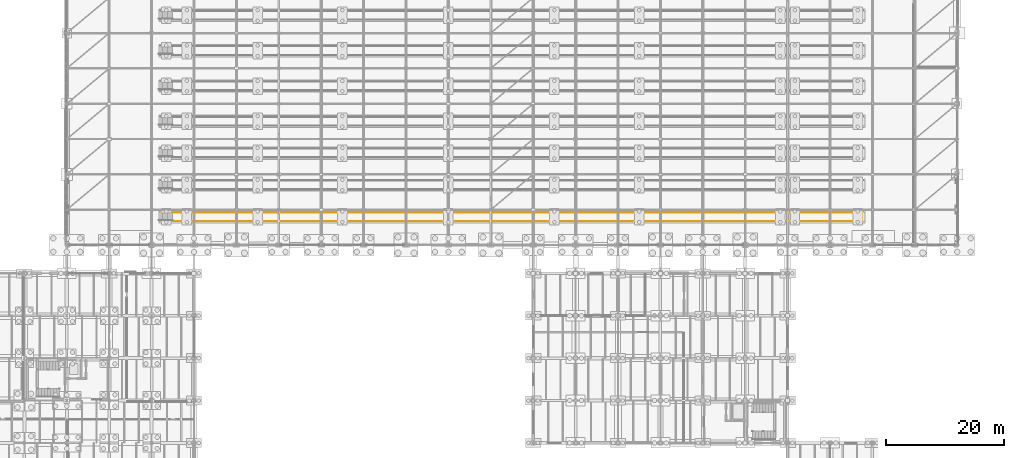
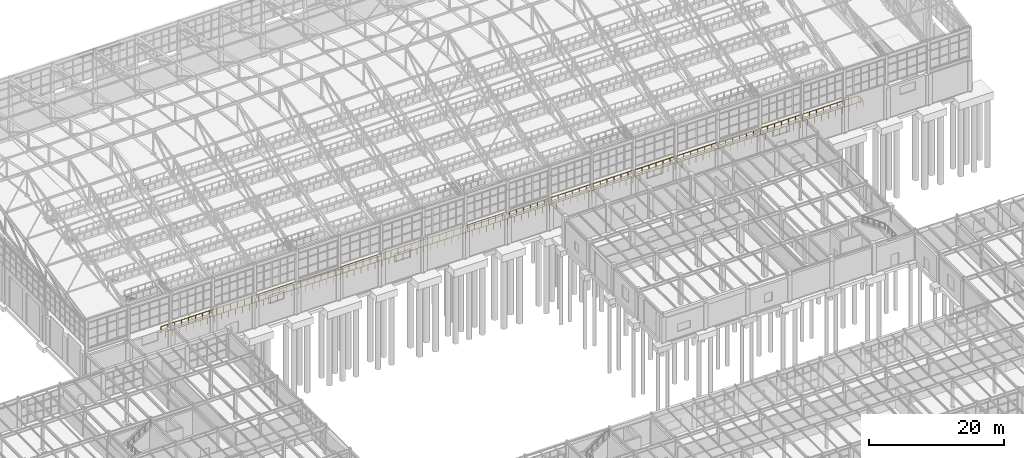
# One storey, part 282 of 293: 1 railing.
"""IFC4 building model written with IfcOpenShell, lengths in metres."""

from ifc_helpers import new_model, si_unit, direction, frame, origin, origin_2d, place, context, subcontext, project, spatial, circle, extrude, material, type_object, element, save


model = new_model("IFC4")

# Units and contexts
model_context = context("Model", 3, precision=1e-05, world=origin(), true_north=direction((0.0, 1.0)))
body_context = subcontext(model_context, "Body", "Model", "MODEL_VIEW")
ifc_project = project(units=[si_unit("LENGTHUNIT", "METRE"), si_unit("AREAUNIT", "SQUARE_METRE"), si_unit("VOLUMEUNIT", "CUBIC_METRE"), si_unit("PLANEANGLEUNIT", "RADIAN"), si_unit("MASSUNIT", "GRAM", prefix="KILO")], contexts=[model_context])

# Site, building, storey
site_placement = place(None, origin())
site = spatial("IfcSite", under=ifc_project, at=site_placement, CompositionType="ELEMENT")
building_placement = place(site_placement, origin())
building = spatial("IfcBuilding", under=site, at=building_placement, Name="Kemerveld Promenade Tramway Depot", CompositionType="ELEMENT")
storey_placement = place(building_placement, origin())
storey = spatial("IfcBuildingStorey", under=building, at=storey_placement, Name="L00", CompositionType="ELEMENT", Elevation=0.0)

# Railing
ifc_material = material(Name="Galvanised painted steel balustrade", Category="steel")
railing_type = type_object("IfcRailingType", Name="RL-GRD-1100", PredefinedType="GUARDRAIL", material=ifc_material)
railing_placement = place(storey_placement, frame((51.949951171875, 88.195068359375, 0.0)))
element("IfcRailing", 1, at=railing_placement, inside=storey, type_object=railing_type, Name="RL-PIT-PIT-01", PredefinedType="GUARDRAIL", context=body_context, shape_type="SweptSolid", body=[
    extrude(circle(Radius=0.02392578125, at=origin_2d()), frame((0.0, 0.0, 1.09619140625), z_axis=(0.0, -1.0, 0.0), x_axis=(1.0, 0.0, 0.0)), (0.0, 0.0, 1.0), 0.14501953125),
    extrude(circle(Radius=0.02392578125, at=origin_2d()), frame((0.0, -0.14501953125, 1.09619140625), z_axis=(1.0, 0.0, 0.0), x_axis=(0.0, 1.0, 0.0)), (0.0, 0.0, 1.0), 119.300048828125),
    extrude(circle(Radius=0.02392578125, at=origin_2d()), frame((119.300048828125, -0.14501953125, 1.09619140625), z_axis=(0.0, 1.0, 0.0), x_axis=(-1.0, 0.0, 0.0)), (0.0, 0.0, 1.0), 1.5),
    extrude(circle(Radius=0.02392578125, at=origin_2d()), frame((119.300048828125, 1.35498046875, 1.09619140625), z_axis=(-1.0, 0.0, 0.0), x_axis=(0.0, -1.0, 0.0)), (0.0, 0.0, 1.0), 119.300048828125),
    extrude(circle(Radius=0.02392578125, at=origin_2d()), frame((0.0, 1.35498046875, 1.09619140625), z_axis=(0.0, -1.0, 0.0), x_axis=(1.0, 0.0, 0.0)), (0.0, 0.0, 1.0), 0.14501953125),
    extrude(circle(Radius=0.02099609375, at=origin_2d()), origin(), (0.0, 0.0, 1.0), 1.072021484375),
    extrude(circle(Radius=0.02099609375, at=origin_2d()), frame((0.0, -0.14501953125, 0.0)), (0.0, 0.0, 1.0), 1.072021484375),
    extrude(circle(Radius=0.02099609375, at=origin_2d()), frame((1.193115234375, -0.14501953125, 0.0)), (0.0, 0.0, 1.0), 1.072021484375),
    extrude(circle(Radius=0.02099609375, at=origin_2d()), frame((2.385986328125, -0.14501953125, 0.0)), (0.0, 0.0, 1.0), 1.072021484375),
    extrude(circle(Radius=0.02099609375, at=origin_2d()), frame((3.5791015625, -0.14501953125, 0.0)), (0.0, 0.0, 1.0), 1.072021484375),
    extrude(circle(Radius=0.02099609375, at=origin_2d()), frame((4.77197265625, -0.14501953125, 0.0)), (0.0, 0.0, 1.0), 1.072021484375),
    extrude(circle(Radius=0.02099609375, at=origin_2d()), frame((5.965087890625, -0.14501953125, 0.0)), (0.0, 0.0, 1.0), 1.072021484375),
    extrude(circle(Radius=0.02099609375, at=origin_2d()), frame((7.157958984375, -0.14501953125, 0.0)), (0.0, 0.0, 1.0), 1.072021484375),
    extrude(circle(Radius=0.02099609375, at=origin_2d()), frame((8.35107421875, -0.14501953125, 0.0)), (0.0, 0.0, 1.0), 1.072021484375),
    extrude(circle(Radius=0.02099609375, at=origin_2d()), frame((9.5439453125, -0.14501953125, 0.0)), (0.0, 0.0, 1.0), 1.072021484375),
    extrude(circle(Radius=0.02099609375, at=origin_2d()), frame((10.737060546875, -0.14501953125, 0.0)), (0.0, 0.0, 1.0), 1.072021484375),
    extrude(circle(Radius=0.02099609375, at=origin_2d()), frame((11.929931640625, -0.14501953125, 0.0)), (0.0, 0.0, 1.0), 1.072021484375),
    extrude(circle(Radius=0.02099609375, at=origin_2d()), frame((13.123046875, -0.14501953125, 0.0)), (0.0, 0.0, 1.0), 1.072021484375),
    extrude(circle(Radius=0.02099609375, at=origin_2d()), frame((14.31591796875, -0.14501953125, 0.0)), (0.0, 0.0, 1.0), 1.072021484375),
    extrude(circle(Radius=0.02099609375, at=origin_2d()), frame((15.509033203125, -0.14501953125, 0.0)), (0.0, 0.0, 1.0), 1.072021484375),
    extrude(circle(Radius=0.02099609375, at=origin_2d()), frame((16.701904296875, -0.14501953125, 0.0)), (0.0, 0.0, 1.0), 1.072021484375),
    extrude(circle(Radius=0.02099609375, at=origin_2d()), frame((17.89501953125, -0.14501953125, 0.0)), (0.0, 0.0, 1.0), 1.072021484375),
    extrude(circle(Radius=0.02099609375, at=origin_2d()), frame((19.087890625, -0.14501953125, 0.0)), (0.0, 0.0, 1.0), 1.072021484375),
    extrude(circle(Radius=0.02099609375, at=origin_2d()), frame((20.281005859375, -0.14501953125, 0.0)), (0.0, 0.0, 1.0), 1.072021484375),
    extrude(circle(Radius=0.02099609375, at=origin_2d()), frame((21.47412109375, -0.14501953125, 0.0)), (0.0, 0.0, 1.0), 1.072021484375),
    extrude(circle(Radius=0.02099609375, at=origin_2d()), frame((22.6669921875, -0.14501953125, 0.0)), (0.0, 0.0, 1.0), 1.072021484375),
    extrude(circle(Radius=0.02099609375, at=origin_2d()), frame((23.860107421875, -0.14501953125, 0.0)), (0.0, 0.0, 1.0), 1.072021484375),
    extrude(circle(Radius=0.02099609375, at=origin_2d()), frame((25.052978515625, -0.14501953125, 0.0)), (0.0, 0.0, 1.0), 1.072021484375),
    extrude(circle(Radius=0.02099609375, at=origin_2d()), frame((26.24609375, -0.14501953125, 0.0)), (0.0, 0.0, 1.0), 1.072021484375),
    extrude(circle(Radius=0.02099609375, at=origin_2d()), frame((27.43896484375, -0.14501953125, 0.0)), (0.0, 0.0, 1.0), 1.072021484375),
    extrude(circle(Radius=0.02099609375, at=origin_2d()), frame((28.632080078125, -0.14501953125, 0.0)), (0.0, 0.0, 1.0), 1.072021484375),
    extrude(circle(Radius=0.02099609375, at=origin_2d()), frame((29.824951171875, -0.14501953125, 0.0)), (0.0, 0.0, 1.0), 1.072021484375),
    extrude(circle(Radius=0.02099609375, at=origin_2d()), frame((31.01806640625, -0.14501953125, 0.0)), (0.0, 0.0, 1.0), 1.072021484375),
    extrude(circle(Radius=0.02099609375, at=origin_2d()), frame((32.2109375, -0.14501953125, 0.0)), (0.0, 0.0, 1.0), 1.072021484375),
    extrude(circle(Radius=0.02099609375, at=origin_2d()), frame((33.404052734375, -0.14501953125, 0.0)), (0.0, 0.0, 1.0), 1.072021484375),
    extrude(circle(Radius=0.02099609375, at=origin_2d()), frame((34.596923828125, -0.14501953125, 0.0)), (0.0, 0.0, 1.0), 1.072021484375),
    extrude(circle(Radius=0.02099609375, at=origin_2d()), frame((35.7900390625, -0.14501953125, 0.0)), (0.0, 0.0, 1.0), 1.072021484375),
    extrude(circle(Radius=0.02099609375, at=origin_2d()), frame((36.98291015625, -0.14501953125, 0.0)), (0.0, 0.0, 1.0), 1.072021484375),
    extrude(circle(Radius=0.02099609375, at=origin_2d()), frame((38.176025390625, -0.14501953125, 0.0)), (0.0, 0.0, 1.0), 1.072021484375),
    extrude(circle(Radius=0.02099609375, at=origin_2d()), frame((39.368896484375, -0.14501953125, 0.0)), (0.0, 0.0, 1.0), 1.072021484375),
    extrude(circle(Radius=0.02099609375, at=origin_2d()), frame((40.56201171875, -0.14501953125, 0.0)), (0.0, 0.0, 1.0), 1.072021484375),
    extrude(circle(Radius=0.02099609375, at=origin_2d()), frame((41.755126953125, -0.14501953125, 0.0)), (0.0, 0.0, 1.0), 1.072021484375),
    extrude(circle(Radius=0.02099609375, at=origin_2d()), frame((42.947998046875, -0.14501953125, 0.0)), (0.0, 0.0, 1.0), 1.072021484375),
    extrude(circle(Radius=0.02099609375, at=origin_2d()), frame((44.14111328125, -0.14501953125, 0.0)), (0.0, 0.0, 1.0), 1.072021484375),
    extrude(circle(Radius=0.02099609375, at=origin_2d()), frame((45.333984375, -0.14501953125, 0.0)), (0.0, 0.0, 1.0), 1.072021484375),
    extrude(circle(Radius=0.02099609375, at=origin_2d()), frame((46.527099609375, -0.14501953125, 0.0)), (0.0, 0.0, 1.0), 1.072021484375),
    extrude(circle(Radius=0.02099609375, at=origin_2d()), frame((47.719970703125, -0.14501953125, 0.0)), (0.0, 0.0, 1.0), 1.072021484375),
    extrude(circle(Radius=0.02099609375, at=origin_2d()), frame((48.9130859375, -0.14501953125, 0.0)), (0.0, 0.0, 1.0), 1.072021484375),
    extrude(circle(Radius=0.02099609375, at=origin_2d()), frame((50.10595703125, -0.14501953125, 0.0)), (0.0, 0.0, 1.0), 1.072021484375),
    extrude(circle(Radius=0.02099609375, at=origin_2d()), frame((51.299072265625, -0.14501953125, 0.0)), (0.0, 0.0, 1.0), 1.072021484375),
    extrude(circle(Radius=0.02099609375, at=origin_2d()), frame((52.491943359375, -0.14501953125, 0.0)), (0.0, 0.0, 1.0), 1.072021484375),
    extrude(circle(Radius=0.02099609375, at=origin_2d()), frame((53.68505859375, -0.14501953125, 0.0)), (0.0, 0.0, 1.0), 1.072021484375),
    extrude(circle(Radius=0.02099609375, at=origin_2d()), frame((54.8779296875, -0.14501953125, 0.0)), (0.0, 0.0, 1.0), 1.072021484375),
    extrude(circle(Radius=0.02099609375, at=origin_2d()), frame((56.071044921875, -0.14501953125, 0.0)), (0.0, 0.0, 1.0), 1.072021484375),
    extrude(circle(Radius=0.02099609375, at=origin_2d()), frame((57.263916015625, -0.14501953125, 0.0)), (0.0, 0.0, 1.0), 1.072021484375),
    extrude(circle(Radius=0.02099609375, at=origin_2d()), frame((58.45703125, -0.14501953125, 0.0)), (0.0, 0.0, 1.0), 1.072021484375),
    extrude(circle(Radius=0.02099609375, at=origin_2d()), frame((59.64990234375, -0.14501953125, 0.0)), (0.0, 0.0, 1.0), 1.072021484375),
    extrude(circle(Radius=0.02099609375, at=origin_2d()), frame((60.843017578125, -0.14501953125, 0.0)), (0.0, 0.0, 1.0), 1.072021484375),
    extrude(circle(Radius=0.02099609375, at=origin_2d()), frame((62.0361328125, -0.14501953125, 0.0)), (0.0, 0.0, 1.0), 1.072021484375),
    extrude(circle(Radius=0.02099609375, at=origin_2d()), frame((63.22900390625, -0.14501953125, 0.0)), (0.0, 0.0, 1.0), 1.072021484375),
    extrude(circle(Radius=0.02099609375, at=origin_2d()), frame((64.422119140625, -0.14501953125, 0.0)), (0.0, 0.0, 1.0), 1.072021484375),
    extrude(circle(Radius=0.02099609375, at=origin_2d()), frame((65.614990234375, -0.14501953125, 0.0)), (0.0, 0.0, 1.0), 1.072021484375),
    extrude(circle(Radius=0.02099609375, at=origin_2d()), frame((66.80810546875, -0.14501953125, 0.0)), (0.0, 0.0, 1.0), 1.072021484375),
    extrude(circle(Radius=0.02099609375, at=origin_2d()), frame((68.0009765625, -0.14501953125, 0.0)), (0.0, 0.0, 1.0), 1.072021484375),
    extrude(circle(Radius=0.02099609375, at=origin_2d()), frame((69.194091796875, -0.14501953125, 0.0)), (0.0, 0.0, 1.0), 1.072021484375),
    extrude(circle(Radius=0.02099609375, at=origin_2d()), frame((70.386962890625, -0.14501953125, 0.0)), (0.0, 0.0, 1.0), 1.072021484375),
    extrude(circle(Radius=0.02099609375, at=origin_2d()), frame((71.580078125, -0.14501953125, 0.0)), (0.0, 0.0, 1.0), 1.072021484375),
    extrude(circle(Radius=0.02099609375, at=origin_2d()), frame((72.77294921875, -0.14501953125, 0.0)), (0.0, 0.0, 1.0), 1.072021484375),
    extrude(circle(Radius=0.02099609375, at=origin_2d()), frame((73.966064453125, -0.14501953125, 0.0)), (0.0, 0.0, 1.0), 1.072021484375),
    extrude(circle(Radius=0.02099609375, at=origin_2d()), frame((75.158935546875, -0.14501953125, 0.0)), (0.0, 0.0, 1.0), 1.072021484375),
    extrude(circle(Radius=0.02099609375, at=origin_2d()), frame((76.35205078125, -0.14501953125, 0.0)), (0.0, 0.0, 1.0), 1.072021484375),
    extrude(circle(Radius=0.02099609375, at=origin_2d()), frame((77.544921875, -0.14501953125, 0.0)), (0.0, 0.0, 1.0), 1.072021484375),
    extrude(circle(Radius=0.02099609375, at=origin_2d()), frame((78.738037109375, -0.14501953125, 0.0)), (0.0, 0.0, 1.0), 1.072021484375),
    extrude(circle(Radius=0.02099609375, at=origin_2d()), frame((79.93115234375, -0.14501953125, 0.0)), (0.0, 0.0, 1.0), 1.072021484375),
    extrude(circle(Radius=0.02099609375, at=origin_2d()), frame((81.1240234375, -0.14501953125, 0.0)), (0.0, 0.0, 1.0), 1.072021484375),
    extrude(circle(Radius=0.02099609375, at=origin_2d()), frame((82.317138671875, -0.14501953125, 0.0)), (0.0, 0.0, 1.0), 1.072021484375),
    extrude(circle(Radius=0.02099609375, at=origin_2d()), frame((83.510009765625, -0.14501953125, 0.0)), (0.0, 0.0, 1.0), 1.072021484375),
    extrude(circle(Radius=0.02099609375, at=origin_2d()), frame((84.703125, -0.14501953125, 0.0)), (0.0, 0.0, 1.0), 1.072021484375),
    extrude(circle(Radius=0.02099609375, at=origin_2d()), frame((85.89599609375, -0.14501953125, 0.0)), (0.0, 0.0, 1.0), 1.072021484375),
    extrude(circle(Radius=0.02099609375, at=origin_2d()), frame((87.089111328125, -0.14501953125, 0.0)), (0.0, 0.0, 1.0), 1.072021484375),
    extrude(circle(Radius=0.02099609375, at=origin_2d()), frame((88.281982421875, -0.14501953125, 0.0)), (0.0, 0.0, 1.0), 1.072021484375),
    extrude(circle(Radius=0.02099609375, at=origin_2d()), frame((89.47509765625, -0.14501953125, 0.0)), (0.0, 0.0, 1.0), 1.072021484375),
    extrude(circle(Radius=0.02099609375, at=origin_2d()), frame((90.66796875, -0.14501953125, 0.0)), (0.0, 0.0, 1.0), 1.072021484375),
    extrude(circle(Radius=0.02099609375, at=origin_2d()), frame((91.861083984375, -0.14501953125, 0.0)), (0.0, 0.0, 1.0), 1.072021484375),
    extrude(circle(Radius=0.02099609375, at=origin_2d()), frame((93.053955078125, -0.14501953125, 0.0)), (0.0, 0.0, 1.0), 1.072021484375),
    extrude(circle(Radius=0.02099609375, at=origin_2d()), frame((94.2470703125, -0.14501953125, 0.0)), (0.0, 0.0, 1.0), 1.072021484375),
    extrude(circle(Radius=0.02099609375, at=origin_2d()), frame((95.43994140625, -0.14501953125, 0.0)), (0.0, 0.0, 1.0), 1.072021484375),
    extrude(circle(Radius=0.02099609375, at=origin_2d()), frame((96.633056640625, -0.14501953125, 0.0)), (0.0, 0.0, 1.0), 1.072021484375),
    extrude(circle(Radius=0.02099609375, at=origin_2d()), frame((97.825927734375, -0.14501953125, 0.0)), (0.0, 0.0, 1.0), 1.072021484375),
    extrude(circle(Radius=0.02099609375, at=origin_2d()), frame((99.01904296875, -0.14501953125, 0.0)), (0.0, 0.0, 1.0), 1.072021484375),
    extrude(circle(Radius=0.02099609375, at=origin_2d()), frame((100.212158203125, -0.14501953125, 0.0)), (0.0, 0.0, 1.0), 1.072021484375),
    extrude(circle(Radius=0.02099609375, at=origin_2d()), frame((101.405029296875, -0.14501953125, 0.0)), (0.0, 0.0, 1.0), 1.072021484375),
    extrude(circle(Radius=0.02099609375, at=origin_2d()), frame((102.59814453125, -0.14501953125, 0.0)), (0.0, 0.0, 1.0), 1.072021484375),
    extrude(circle(Radius=0.02099609375, at=origin_2d()), frame((103.791015625, -0.14501953125, 0.0)), (0.0, 0.0, 1.0), 1.072021484375),
    extrude(circle(Radius=0.02099609375, at=origin_2d()), frame((104.984130859375, -0.14501953125, 0.0)), (0.0, 0.0, 1.0), 1.072021484375),
    extrude(circle(Radius=0.02099609375, at=origin_2d()), frame((106.177001953125, -0.14501953125, 0.0)), (0.0, 0.0, 1.0), 1.072021484375),
    extrude(circle(Radius=0.02099609375, at=origin_2d()), frame((107.3701171875, -0.14501953125, 0.0)), (0.0, 0.0, 1.0), 1.072021484375),
    extrude(circle(Radius=0.02099609375, at=origin_2d()), frame((108.56298828125, -0.14501953125, 0.0)), (0.0, 0.0, 1.0), 1.072021484375),
    extrude(circle(Radius=0.02099609375, at=origin_2d()), frame((109.756103515625, -0.14501953125, 0.0)), (0.0, 0.0, 1.0), 1.072021484375),
    extrude(circle(Radius=0.02099609375, at=origin_2d()), frame((110.948974609375, -0.14501953125, 0.0)), (0.0, 0.0, 1.0), 1.072021484375),
    extrude(circle(Radius=0.02099609375, at=origin_2d()), frame((112.14208984375, -0.14501953125, 0.0)), (0.0, 0.0, 1.0), 1.072021484375),
    extrude(circle(Radius=0.02099609375, at=origin_2d()), frame((113.3349609375, -0.14501953125, 0.0)), (0.0, 0.0, 1.0), 1.072021484375),
    extrude(circle(Radius=0.02099609375, at=origin_2d()), frame((114.528076171875, -0.14501953125, 0.0)), (0.0, 0.0, 1.0), 1.072021484375),
    extrude(circle(Radius=0.02099609375, at=origin_2d()), frame((115.720947265625, -0.14501953125, 0.0)), (0.0, 0.0, 1.0), 1.072021484375),
    extrude(circle(Radius=0.02099609375, at=origin_2d()), frame((116.9140625, -0.14501953125, 0.0)), (0.0, 0.0, 1.0), 1.072021484375),
    extrude(circle(Radius=0.02099609375, at=origin_2d()), frame((118.10693359375, -0.14501953125, 0.0)), (0.0, 0.0, 1.0), 1.072021484375),
    extrude(circle(Radius=0.02099609375, at=origin_2d()), frame((119.300048828125, -0.14501953125, 0.0)), (0.0, 0.0, 1.0), 1.072021484375),
    extrude(circle(Radius=0.02099609375, at=origin_2d()), frame((119.300048828125, 0.60498046875, 0.0)), (0.0, 0.0, 1.0), 1.072021484375),
    extrude(circle(Radius=0.02099609375, at=origin_2d()), frame((119.300048828125, 1.35498046875, 0.0)), (0.0, 0.0, 1.0), 1.072021484375),
    extrude(circle(Radius=0.02099609375, at=origin_2d()), frame((118.10693359375, 1.35498046875, 0.0)), (0.0, 0.0, 1.0), 1.072021484375),
    extrude(circle(Radius=0.02099609375, at=origin_2d()), frame((116.9140625, 1.35498046875, 0.0)), (0.0, 0.0, 1.0), 1.072021484375),
    extrude(circle(Radius=0.02099609375, at=origin_2d()), frame((115.720947265625, 1.35498046875, 0.0)), (0.0, 0.0, 1.0), 1.072021484375),
    extrude(circle(Radius=0.02099609375, at=origin_2d()), frame((114.528076171875, 1.35498046875, 0.0)), (0.0, 0.0, 1.0), 1.072021484375),
    extrude(circle(Radius=0.02099609375, at=origin_2d()), frame((113.3349609375, 1.35498046875, 0.0)), (0.0, 0.0, 1.0), 1.072021484375),
    extrude(circle(Radius=0.02099609375, at=origin_2d()), frame((112.14208984375, 1.35498046875, 0.0)), (0.0, 0.0, 1.0), 1.072021484375),
    extrude(circle(Radius=0.02099609375, at=origin_2d()), frame((110.948974609375, 1.35498046875, 0.0)), (0.0, 0.0, 1.0), 1.072021484375),
    extrude(circle(Radius=0.02099609375, at=origin_2d()), frame((109.756103515625, 1.35498046875, 0.0)), (0.0, 0.0, 1.0), 1.072021484375),
    extrude(circle(Radius=0.02099609375, at=origin_2d()), frame((108.56298828125, 1.35498046875, 0.0)), (0.0, 0.0, 1.0), 1.072021484375),
    extrude(circle(Radius=0.02099609375, at=origin_2d()), frame((107.3701171875, 1.35498046875, 0.0)), (0.0, 0.0, 1.0), 1.072021484375),
    extrude(circle(Radius=0.02099609375, at=origin_2d()), frame((106.177001953125, 1.35498046875, 0.0)), (0.0, 0.0, 1.0), 1.072021484375),
    extrude(circle(Radius=0.02099609375, at=origin_2d()), frame((104.984130859375, 1.35498046875, 0.0)), (0.0, 0.0, 1.0), 1.072021484375),
    extrude(circle(Radius=0.02099609375, at=origin_2d()), frame((103.791015625, 1.35498046875, 0.0)), (0.0, 0.0, 1.0), 1.072021484375),
    extrude(circle(Radius=0.02099609375, at=origin_2d()), frame((102.59814453125, 1.35498046875, 0.0)), (0.0, 0.0, 1.0), 1.072021484375),
    extrude(circle(Radius=0.02099609375, at=origin_2d()), frame((101.405029296875, 1.35498046875, 0.0)), (0.0, 0.0, 1.0), 1.072021484375),
    extrude(circle(Radius=0.02099609375, at=origin_2d()), frame((100.212158203125, 1.35498046875, 0.0)), (0.0, 0.0, 1.0), 1.072021484375),
    extrude(circle(Radius=0.02099609375, at=origin_2d()), frame((99.01904296875, 1.35498046875, 0.0)), (0.0, 0.0, 1.0), 1.072021484375),
    extrude(circle(Radius=0.02099609375, at=origin_2d()), frame((97.825927734375, 1.35498046875, 0.0)), (0.0, 0.0, 1.0), 1.072021484375),
    extrude(circle(Radius=0.02099609375, at=origin_2d()), frame((96.633056640625, 1.35498046875, 0.0)), (0.0, 0.0, 1.0), 1.072021484375),
    extrude(circle(Radius=0.02099609375, at=origin_2d()), frame((95.43994140625, 1.35498046875, 0.0)), (0.0, 0.0, 1.0), 1.072021484375),
    extrude(circle(Radius=0.02099609375, at=origin_2d()), frame((94.2470703125, 1.35498046875, 0.0)), (0.0, 0.0, 1.0), 1.072021484375),
    extrude(circle(Radius=0.02099609375, at=origin_2d()), frame((93.053955078125, 1.35498046875, 0.0)), (0.0, 0.0, 1.0), 1.072021484375),
    extrude(circle(Radius=0.02099609375, at=origin_2d()), frame((91.861083984375, 1.35498046875, 0.0)), (0.0, 0.0, 1.0), 1.072021484375),
    extrude(circle(Radius=0.02099609375, at=origin_2d()), frame((90.66796875, 1.35498046875, 0.0)), (0.0, 0.0, 1.0), 1.072021484375),
    extrude(circle(Radius=0.02099609375, at=origin_2d()), frame((89.47509765625, 1.35498046875, 0.0)), (0.0, 0.0, 1.0), 1.072021484375),
    extrude(circle(Radius=0.02099609375, at=origin_2d()), frame((88.281982421875, 1.35498046875, 0.0)), (0.0, 0.0, 1.0), 1.072021484375),
    extrude(circle(Radius=0.02099609375, at=origin_2d()), frame((87.089111328125, 1.35498046875, 0.0)), (0.0, 0.0, 1.0), 1.072021484375),
    extrude(circle(Radius=0.02099609375, at=origin_2d()), frame((85.89599609375, 1.35498046875, 0.0)), (0.0, 0.0, 1.0), 1.072021484375),
    extrude(circle(Radius=0.02099609375, at=origin_2d()), frame((84.703125, 1.35498046875, 0.0)), (0.0, 0.0, 1.0), 1.072021484375),
    extrude(circle(Radius=0.02099609375, at=origin_2d()), frame((83.510009765625, 1.35498046875, 0.0)), (0.0, 0.0, 1.0), 1.072021484375),
    extrude(circle(Radius=0.02099609375, at=origin_2d()), frame((82.317138671875, 1.35498046875, 0.0)), (0.0, 0.0, 1.0), 1.072021484375),
    extrude(circle(Radius=0.02099609375, at=origin_2d()), frame((81.1240234375, 1.35498046875, 0.0)), (0.0, 0.0, 1.0), 1.072021484375),
    extrude(circle(Radius=0.02099609375, at=origin_2d()), frame((79.93115234375, 1.35498046875, 0.0)), (0.0, 0.0, 1.0), 1.072021484375),
    extrude(circle(Radius=0.02099609375, at=origin_2d()), frame((78.738037109375, 1.35498046875, 0.0)), (0.0, 0.0, 1.0), 1.072021484375),
    extrude(circle(Radius=0.02099609375, at=origin_2d()), frame((77.544921875, 1.35498046875, 0.0)), (0.0, 0.0, 1.0), 1.072021484375),
    extrude(circle(Radius=0.02099609375, at=origin_2d()), frame((76.35205078125, 1.35498046875, 0.0)), (0.0, 0.0, 1.0), 1.072021484375),
    extrude(circle(Radius=0.02099609375, at=origin_2d()), frame((75.158935546875, 1.35498046875, 0.0)), (0.0, 0.0, 1.0), 1.072021484375),
    extrude(circle(Radius=0.02099609375, at=origin_2d()), frame((73.966064453125, 1.35498046875, 0.0)), (0.0, 0.0, 1.0), 1.072021484375),
    extrude(circle(Radius=0.02099609375, at=origin_2d()), frame((72.77294921875, 1.35498046875, 0.0)), (0.0, 0.0, 1.0), 1.072021484375),
    extrude(circle(Radius=0.02099609375, at=origin_2d()), frame((71.580078125, 1.35498046875, 0.0)), (0.0, 0.0, 1.0), 1.072021484375),
    extrude(circle(Radius=0.02099609375, at=origin_2d()), frame((70.386962890625, 1.35498046875, 0.0)), (0.0, 0.0, 1.0), 1.072021484375),
    extrude(circle(Radius=0.02099609375, at=origin_2d()), frame((69.194091796875, 1.35498046875, 0.0)), (0.0, 0.0, 1.0), 1.072021484375),
    extrude(circle(Radius=0.02099609375, at=origin_2d()), frame((68.0009765625, 1.35498046875, 0.0)), (0.0, 0.0, 1.0), 1.072021484375),
    extrude(circle(Radius=0.02099609375, at=origin_2d()), frame((66.80810546875, 1.35498046875, 0.0)), (0.0, 0.0, 1.0), 1.072021484375),
    extrude(circle(Radius=0.02099609375, at=origin_2d()), frame((65.614990234375, 1.35498046875, 0.0)), (0.0, 0.0, 1.0), 1.072021484375),
    extrude(circle(Radius=0.02099609375, at=origin_2d()), frame((64.422119140625, 1.35498046875, 0.0)), (0.0, 0.0, 1.0), 1.072021484375),
    extrude(circle(Radius=0.02099609375, at=origin_2d()), frame((63.22900390625, 1.35498046875, 0.0)), (0.0, 0.0, 1.0), 1.072021484375),
    extrude(circle(Radius=0.02099609375, at=origin_2d()), frame((62.0361328125, 1.35498046875, 0.0)), (0.0, 0.0, 1.0), 1.072021484375),
    extrude(circle(Radius=0.02099609375, at=origin_2d()), frame((60.843017578125, 1.35498046875, 0.0)), (0.0, 0.0, 1.0), 1.072021484375),
    extrude(circle(Radius=0.02099609375, at=origin_2d()), frame((59.64990234375, 1.35498046875, 0.0)), (0.0, 0.0, 1.0), 1.072021484375),
    extrude(circle(Radius=0.02099609375, at=origin_2d()), frame((58.45703125, 1.35498046875, 0.0)), (0.0, 0.0, 1.0), 1.072021484375),
    extrude(circle(Radius=0.02099609375, at=origin_2d()), frame((57.263916015625, 1.35498046875, 0.0)), (0.0, 0.0, 1.0), 1.072021484375),
    extrude(circle(Radius=0.02099609375, at=origin_2d()), frame((56.071044921875, 1.35498046875, 0.0)), (0.0, 0.0, 1.0), 1.072021484375),
    extrude(circle(Radius=0.02099609375, at=origin_2d()), frame((54.8779296875, 1.35498046875, 0.0)), (0.0, 0.0, 1.0), 1.072021484375),
    extrude(circle(Radius=0.02099609375, at=origin_2d()), frame((53.68505859375, 1.35498046875, 0.0)), (0.0, 0.0, 1.0), 1.072021484375),
    extrude(circle(Radius=0.02099609375, at=origin_2d()), frame((52.491943359375, 1.35498046875, 0.0)), (0.0, 0.0, 1.0), 1.072021484375),
    extrude(circle(Radius=0.02099609375, at=origin_2d()), frame((51.299072265625, 1.35498046875, 0.0)), (0.0, 0.0, 1.0), 1.072021484375),
    extrude(circle(Radius=0.02099609375, at=origin_2d()), frame((50.10595703125, 1.35498046875, 0.0)), (0.0, 0.0, 1.0), 1.072021484375),
    extrude(circle(Radius=0.02099609375, at=origin_2d()), frame((48.9130859375, 1.35498046875, 0.0)), (0.0, 0.0, 1.0), 1.072021484375),
    extrude(circle(Radius=0.02099609375, at=origin_2d()), frame((47.719970703125, 1.35498046875, 0.0)), (0.0, 0.0, 1.0), 1.072021484375),
    extrude(circle(Radius=0.02099609375, at=origin_2d()), frame((46.527099609375, 1.35498046875, 0.0)), (0.0, 0.0, 1.0), 1.072021484375),
    extrude(circle(Radius=0.02099609375, at=origin_2d()), frame((45.333984375, 1.35498046875, 0.0)), (0.0, 0.0, 1.0), 1.072021484375),
    extrude(circle(Radius=0.02099609375, at=origin_2d()), frame((44.14111328125, 1.35498046875, 0.0)), (0.0, 0.0, 1.0), 1.072021484375),
    extrude(circle(Radius=0.02099609375, at=origin_2d()), frame((42.947998046875, 1.35498046875, 0.0)), (0.0, 0.0, 1.0), 1.072021484375),
    extrude(circle(Radius=0.02099609375, at=origin_2d()), frame((41.755126953125, 1.35498046875, 0.0)), (0.0, 0.0, 1.0), 1.072021484375),
    extrude(circle(Radius=0.02099609375, at=origin_2d()), frame((40.56201171875, 1.35498046875, 0.0)), (0.0, 0.0, 1.0), 1.072021484375),
    extrude(circle(Radius=0.02099609375, at=origin_2d()), frame((39.368896484375, 1.35498046875, 0.0)), (0.0, 0.0, 1.0), 1.072021484375),
    extrude(circle(Radius=0.02099609375, at=origin_2d()), frame((38.176025390625, 1.35498046875, 0.0)), (0.0, 0.0, 1.0), 1.072021484375),
    extrude(circle(Radius=0.02099609375, at=origin_2d()), frame((36.98291015625, 1.35498046875, 0.0)), (0.0, 0.0, 1.0), 1.072021484375),
    extrude(circle(Radius=0.02099609375, at=origin_2d()), frame((35.7900390625, 1.35498046875, 0.0)), (0.0, 0.0, 1.0), 1.072021484375),
    extrude(circle(Radius=0.02099609375, at=origin_2d()), frame((34.596923828125, 1.35498046875, 0.0)), (0.0, 0.0, 1.0), 1.072021484375),
    extrude(circle(Radius=0.02099609375, at=origin_2d()), frame((33.404052734375, 1.35498046875, 0.0)), (0.0, 0.0, 1.0), 1.072021484375),
    extrude(circle(Radius=0.02099609375, at=origin_2d()), frame((32.2109375, 1.35498046875, 0.0)), (0.0, 0.0, 1.0), 1.072021484375),
    extrude(circle(Radius=0.02099609375, at=origin_2d()), frame((31.01806640625, 1.35498046875, 0.0)), (0.0, 0.0, 1.0), 1.072021484375),
    extrude(circle(Radius=0.02099609375, at=origin_2d()), frame((29.824951171875, 1.35498046875, 0.0)), (0.0, 0.0, 1.0), 1.072021484375),
    extrude(circle(Radius=0.02099609375, at=origin_2d()), frame((28.632080078125, 1.35498046875, 0.0)), (0.0, 0.0, 1.0), 1.072021484375),
    extrude(circle(Radius=0.02099609375, at=origin_2d()), frame((27.43896484375, 1.35498046875, 0.0)), (0.0, 0.0, 1.0), 1.072021484375),
    extrude(circle(Radius=0.02099609375, at=origin_2d()), frame((26.24609375, 1.35498046875, 0.0)), (0.0, 0.0, 1.0), 1.072021484375),
    extrude(circle(Radius=0.02099609375, at=origin_2d()), frame((25.052978515625, 1.35498046875, 0.0)), (0.0, 0.0, 1.0), 1.072021484375),
    extrude(circle(Radius=0.02099609375, at=origin_2d()), frame((23.860107421875, 1.35498046875, 0.0)), (0.0, 0.0, 1.0), 1.072021484375),
    extrude(circle(Radius=0.02099609375, at=origin_2d()), frame((22.6669921875, 1.35498046875, 0.0)), (0.0, 0.0, 1.0), 1.072021484375),
    extrude(circle(Radius=0.02099609375, at=origin_2d()), frame((21.47412109375, 1.35498046875, 0.0)), (0.0, 0.0, 1.0), 1.072021484375),
    extrude(circle(Radius=0.02099609375, at=origin_2d()), frame((20.281005859375, 1.35498046875, 0.0)), (0.0, 0.0, 1.0), 1.072021484375),
    extrude(circle(Radius=0.02099609375, at=origin_2d()), frame((19.087890625, 1.35498046875, 0.0)), (0.0, 0.0, 1.0), 1.072021484375),
    extrude(circle(Radius=0.02099609375, at=origin_2d()), frame((17.89501953125, 1.35498046875, 0.0)), (0.0, 0.0, 1.0), 1.072021484375),
    extrude(circle(Radius=0.02099609375, at=origin_2d()), frame((16.701904296875, 1.35498046875, 0.0)), (0.0, 0.0, 1.0), 1.072021484375),
    extrude(circle(Radius=0.02099609375, at=origin_2d()), frame((15.509033203125, 1.35498046875, 0.0)), (0.0, 0.0, 1.0), 1.072021484375),
    extrude(circle(Radius=0.02099609375, at=origin_2d()), frame((14.31591796875, 1.35498046875, 0.0)), (0.0, 0.0, 1.0), 1.072021484375),
    extrude(circle(Radius=0.02099609375, at=origin_2d()), frame((13.123046875, 1.35498046875, 0.0)), (0.0, 0.0, 1.0), 1.072021484375),
    extrude(circle(Radius=0.02099609375, at=origin_2d()), frame((11.929931640625, 1.35498046875, 0.0)), (0.0, 0.0, 1.0), 1.072021484375),
    extrude(circle(Radius=0.02099609375, at=origin_2d()), frame((10.737060546875, 1.35498046875, 0.0)), (0.0, 0.0, 1.0), 1.072021484375),
    extrude(circle(Radius=0.02099609375, at=origin_2d()), frame((9.5439453125, 1.35498046875, 0.0)), (0.0, 0.0, 1.0), 1.072021484375),
    extrude(circle(Radius=0.02099609375, at=origin_2d()), frame((8.35107421875, 1.35498046875, 0.0)), (0.0, 0.0, 1.0), 1.072021484375),
    extrude(circle(Radius=0.02099609375, at=origin_2d()), frame((7.157958984375, 1.35498046875, 0.0)), (0.0, 0.0, 1.0), 1.072021484375),
    extrude(circle(Radius=0.02099609375, at=origin_2d()), frame((5.965087890625, 1.35498046875, 0.0)), (0.0, 0.0, 1.0), 1.072021484375),
    extrude(circle(Radius=0.02099609375, at=origin_2d()), frame((4.77197265625, 1.35498046875, 0.0)), (0.0, 0.0, 1.0), 1.072021484375),
    extrude(circle(Radius=0.02099609375, at=origin_2d()), frame((3.5791015625, 1.35498046875, 0.0)), (0.0, 0.0, 1.0), 1.072021484375),
    extrude(circle(Radius=0.02099609375, at=origin_2d()), frame((2.385986328125, 1.35498046875, 0.0)), (0.0, 0.0, 1.0), 1.072021484375),
    extrude(circle(Radius=0.02099609375, at=origin_2d()), frame((1.193115234375, 1.35498046875, 0.0)), (0.0, 0.0, 1.0), 1.072021484375),
    extrude(circle(Radius=0.02099609375, at=origin_2d()), frame((0.0, 1.35498046875, 0.0)), (0.0, 0.0, 1.0), 1.072021484375),
    extrude(circle(Radius=0.02099609375, at=origin_2d()), frame((0.0, 1.2099609375, 0.0)), (0.0, 0.0, 1.0), 1.072021484375),
])

save(model, "model.ifc")
